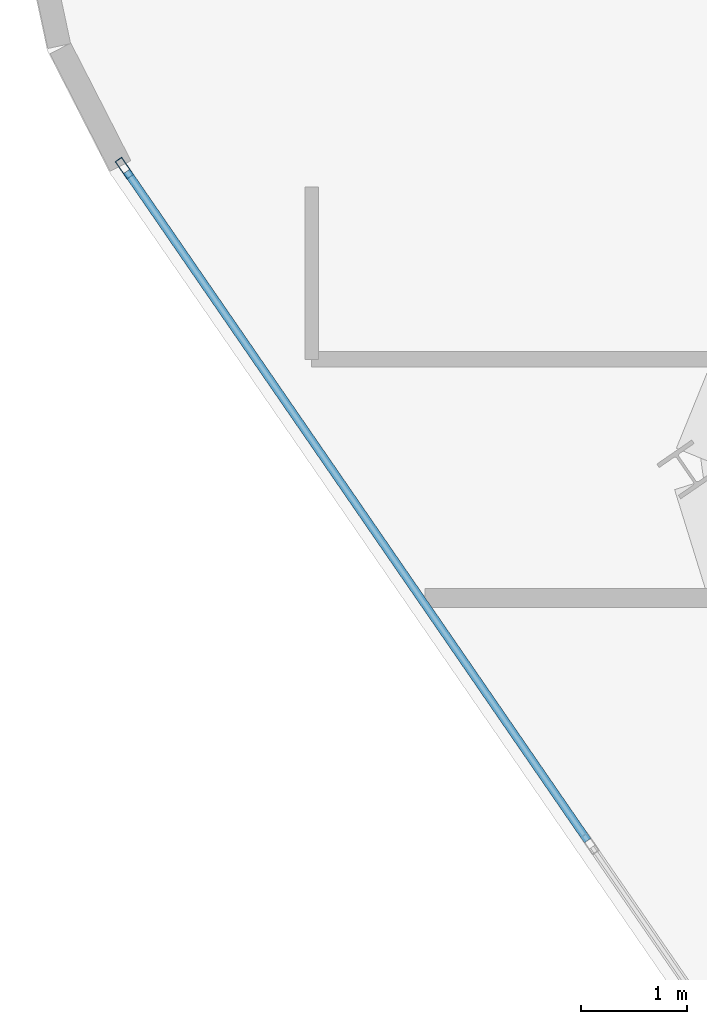
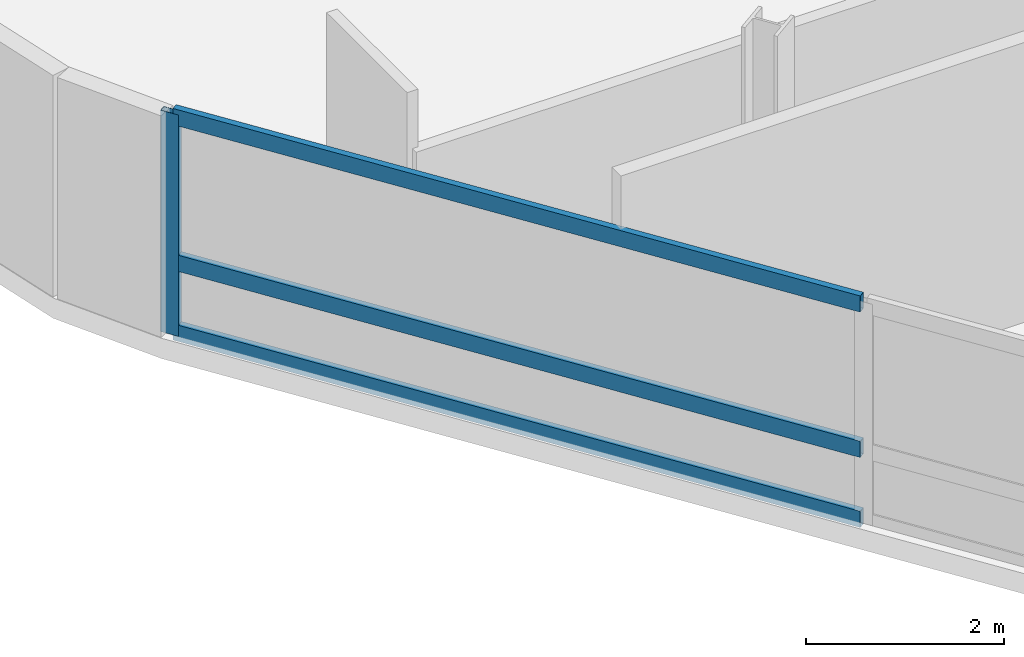
# One storey, part 7 of 23: 4 members, 1 element without a shape of its own.
"""IFC4 building model written with IfcOpenShell, lengths in metres."""

from ifc_helpers import new_model, si_unit, direction, frame, origin, origin_2d, place, context, subcontext, project, spatial, hollow_rectangle, extrude, material, layer, layer_set, material_profile, profile_set, type_object, element, aggregate, save


model = new_model("IFC4")

# Units and contexts
model_context = context("Model", 3, precision=1e-05, world=origin(), true_north=direction((0.0, 1.0)))
body_context = subcontext(model_context, "Body", "Model", "MODEL_VIEW")
ifc_project = project(units=[si_unit("LENGTHUNIT", "METRE"), si_unit("AREAUNIT", "SQUARE_METRE"), si_unit("VOLUMEUNIT", "CUBIC_METRE"), si_unit("PLANEANGLEUNIT", "RADIAN"), si_unit("MASSUNIT", "GRAM", prefix="KILO")], contexts=[model_context])

# Site, building, storey
site_placement = place(None, origin())
site = spatial("IfcSite", under=ifc_project, at=site_placement, CompositionType="ELEMENT")
building_placement = place(site_placement, origin())
building = spatial("IfcBuilding", under=site, at=building_placement, Name="Varnelok Gate Tower", CompositionType="ELEMENT")
storey_placement = place(building_placement, frame((0.0, 0.0, 258.199951171875)))
storey = spatial("IfcBuildingStorey", under=building, at=storey_placement, Name="L66", CompositionType="ELEMENT", Elevation=258.199951171875)

# Curtain wall, members
ifc_material = material(Name="Anodized Aluminum Alloy 6063-T6", Category="aluminium")
ifc_layer = layer(ifc_material, 0.179931640625)
ifc_layer_set = layer_set([ifc_layer], Name="Anodized Aluminum Alloy 6063-T6")
curtain_wall_type = type_object("IfcCurtainWallType", Name="CW4-RESIDENCE-VISION", PredefinedType="USERDEFINED", material=ifc_layer_set)
curtain_wall_placement = place(storey_placement, origin())
curtain_wall = element("IfcCurtainWall", 1, at=curtain_wall_placement, inside=storey, type_object=curtain_wall_type, Name="L66 West End Vision Curtain Wall", ObjectType="UNITISED CURTAIN WALL", PredefinedType="USERDEFINED")
ifc_material_profile_1 = material_profile(ifc_material, hollow_rectangle(XDim=0.074951171875, YDim=0.199951171875, WallThickness=0.00390625, at=origin_2d()), Name="ALU200X75X4")
ifc_profile_set_1 = profile_set([ifc_material_profile_1], Name="Anodized Aluminum Alloy 6063-T6")
member_type_1 = type_object("IfcMemberType", Name="CW-MULL-200", PredefinedType="MULLION", material=ifc_profile_set_1)
member_1_placement = place(storey_placement, frame((3.228271484375, 19.4189453125, 0.0), z_axis=(0.0, 0.0, 1.0), x_axis=(-0.823532290241, -0.567269395376, 0.0)))
member_1 = element("IfcMember", 2, at=member_1_placement, type_object=member_type_1, Name="CW4 mullion 5", PredefinedType="MULLION", context=body_context, shape_type="SweptSolid", body=[
    extrude(hollow_rectangle(XDim=0.074951171875, YDim=0.199951171875, WallThickness=0.00390625, at=origin_2d()), origin(), (0.0, 0.0, 1.0), 2.72998046875),
])
ifc_material_profile_2 = material_profile(ifc_material, hollow_rectangle(XDim=0.074951171875, YDim=0.199951171875, WallThickness=0.00390625, at=origin_2d()), Name="ALU200X75X4")
ifc_profile_set_2 = profile_set([ifc_material_profile_2], Name="Anodized Aluminum Alloy 6063-T6")
member_type_2 = type_object("IfcMemberType", Name="CW-TRAN-200", PredefinedType="USERDEFINED", material=ifc_profile_set_2)
member_2_placement = place(storey_placement, frame((7.6103515625, 13.05712890625, 0.03759765625), z_axis=(-0.567256418128, 0.82354122914, 0.0), x_axis=(-0.82354122914, -0.567256418128, 0.0)))
member_2 = element("IfcMember", 3, at=member_2_placement, type_object=member_type_2, Name="CW4 transom 4.1", ObjectType="TRANSOM", PredefinedType="USERDEFINED", context=body_context, shape_type="SweptSolid", body=[
    extrude(hollow_rectangle(XDim=0.074951171875, YDim=0.199951171875, WallThickness=0.00390625, at=origin_2d()), origin(), (0.0, 0.0, 1.0), 7.6875),
])
member_3_placement = place(storey_placement, frame((7.6103515625, 13.05712890625, 0.900146484375), z_axis=(-0.567256418128, 0.82354122914, 0.0), x_axis=(-0.82354122914, -0.567256418128, 0.0)))
member_3 = element("IfcMember", 4, at=member_3_placement, type_object=member_type_2, Name="CW4 transom 4.2", ObjectType="TRANSOM", PredefinedType="USERDEFINED", context=body_context, shape_type="SweptSolid", body=[
    extrude(hollow_rectangle(XDim=0.074951171875, YDim=0.199951171875, WallThickness=0.00390625, at=origin_2d()), origin(), (0.0, 0.0, 1.0), 7.6875),
])
member_4_placement = place(storey_placement, frame((7.6103515625, 13.05712890625, 2.692626953125), z_axis=(-0.567256418128, 0.82354122914, 0.0), x_axis=(-0.82354122914, -0.567256418128, 0.0)))
member_4 = element("IfcMember", 5, at=member_4_placement, type_object=member_type_2, Name="CW4 transom 4.3", ObjectType="TRANSOM", PredefinedType="USERDEFINED", context=body_context, shape_type="SweptSolid", body=[
    extrude(hollow_rectangle(XDim=0.074951171875, YDim=0.199951171875, WallThickness=0.00390625, at=origin_2d()), origin(), (0.0, 0.0, 1.0), 7.6875),
])
aggregate(curtain_wall, [member_1, member_2, member_3, member_4])

save(model, "model.ifc")
